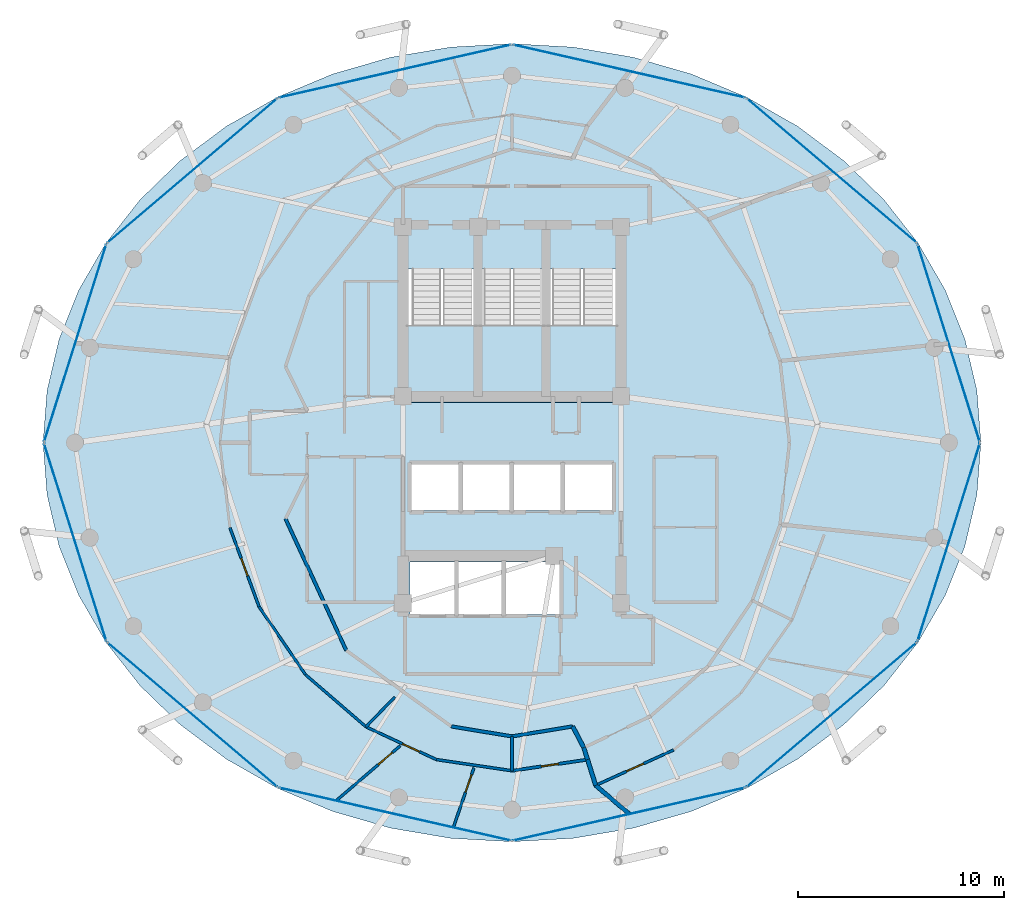
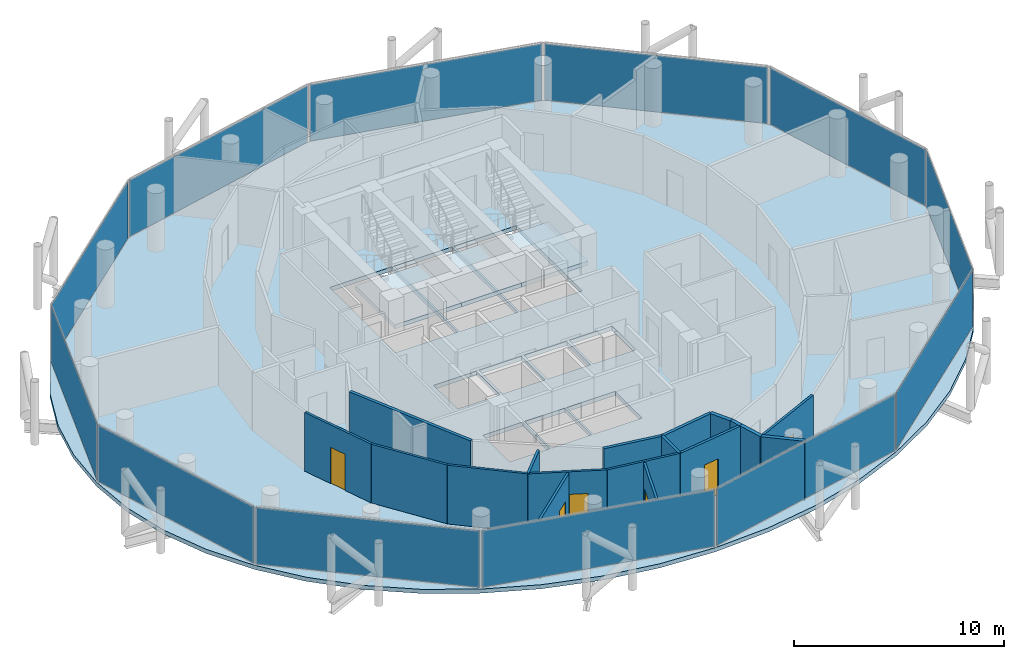
# One storey, part 22 of 27: 18 walls, 12 plates, 6 doors, 4 slabs, 6 openings, 15 elements without a shape of their own.
"""IFC4 building model written with IfcOpenShell, lengths in metres."""

from ifc_helpers import new_model, si_unit, direction, frame, frame_2d, origin, origin_2d, place, context, subcontext, project, spatial, polyline, rectangle, outline, extrude, material, layer, layer_set, type_object, element, fill, aggregate, save


model = new_model("IFC4")

# Units and contexts
model_context = context("Model", 3, precision=1e-05, world=origin(), true_north=direction((0.0, 1.0)))
body_context = subcontext(model_context, "Body", "Model", "MODEL_VIEW")
ifc_project = project(units=[si_unit("LENGTHUNIT", "METRE"), si_unit("AREAUNIT", "SQUARE_METRE"), si_unit("VOLUMEUNIT", "CUBIC_METRE"), si_unit("PLANEANGLEUNIT", "RADIAN"), si_unit("MASSUNIT", "GRAM", prefix="KILO")], contexts=[model_context])

# Site, building, storey
site_placement = place(None, origin())
site = spatial("IfcSite", under=ifc_project, at=site_placement, CompositionType="ELEMENT")
building_placement = place(site_placement, origin())
building = spatial("IfcBuilding", under=site, at=building_placement, Name="Nuhasar Tower", CompositionType="ELEMENT")
storey_placement = place(building_placement, frame((0.0, 0.0, 244.64990234375)))
storey = spatial("IfcBuildingStorey", under=building, at=storey_placement, Name="L60", CompositionType="ELEMENT", Elevation=244.64990234375)

# Curtain wall, plate
ifc_material_1 = material(Name="Aluminium 6063-T6", Category="aluminium")
ifc_layer_1 = layer(ifc_material_1, 0.18994140625)
ifc_layer_set_1 = layer_set([ifc_layer_1], Name="Aluminium 6063-T6")
curtain_wall_type = type_object("IfcCurtainWallType", Name="CW-Z3-RES", PredefinedType="NOTDEFINED", material=ifc_layer_set_1)
curtain_wall_1_placement = place(storey_placement, origin())
curtain_wall_1 = element("IfcCurtainWall", 1, at=curtain_wall_1_placement, inside=storey, type_object=curtain_wall_type, Name="L60 Unitised Curtain Wall 01", PredefinedType="NOTDEFINED")
ifc_material_2 = material(Name="Glass Double Low-E", Category="glass")
ifc_layer_2 = layer(ifc_material_2, 0.028076171875)
ifc_layer_set_2 = layer_set([ifc_layer_2], Name="Glass Double Low-E")
plate_type = type_object("IfcPlateType", Name="CW-PANEL-GLZ", PredefinedType="CURTAIN_PANEL", material=ifc_layer_set_2)
plate_1_placement = place(storey_placement, frame((60.235595703125, 31.639892578125, 0.06494140625), z_axis=(0.0, 0.0, 1.0), x_axis=(-0.30042864553, 0.95380429279, 0.0)))
plate_1 = element("IfcPlate", 2, at=plate_1_placement, type_object=plate_type, Name="CW-Z3 panel 1.1", PredefinedType="CURTAIN_PANEL", context=body_context, shape_type="SweptSolid", body=[
    extrude(rectangle(XDim=10.018798828125, YDim=0.028076171875, at=origin_2d()), origin(), (0.0, 0.0, 1.0), 3.280029296875),
])
aggregate(curtain_wall_1, [plate_1])

curtain_wall_2_placement = place(storey_placement, origin())
curtain_wall_2 = element("IfcCurtainWall", 3, at=curtain_wall_2_placement, inside=storey, type_object=curtain_wall_type, Name="L60 Unitised Curtain Wall 02", PredefinedType="NOTDEFINED")
plate_2_placement = place(storey_placement, frame((54.54541015625, 40.02294921875, 0.06494140625), z_axis=(0.0, 0.0, 1.0), x_axis=(-0.761729472562, 0.64789521578, 0.0)))
plate_2 = element("IfcPlate", 4, at=plate_2_placement, type_object=plate_type, Name="CW-Z3 panel 1.1", PredefinedType="CURTAIN_PANEL", context=body_context, shape_type="SweptSolid", body=[
    extrude(rectangle(XDim=10.806884765625, YDim=0.028076171875, at=origin_2d()), origin(), (0.0, 0.0, 1.0), 3.280029296875),
])
aggregate(curtain_wall_2, [plate_2])

curtain_wall_3_placement = place(storey_placement, origin())
curtain_wall_3 = element("IfcCurtainWall", 5, at=curtain_wall_3_placement, inside=storey, type_object=curtain_wall_type, Name="L60 Unitised Curtain Wall 03", PredefinedType="NOTDEFINED")
plate_3_placement = place(storey_placement, frame((44.68994140625, 44.863037109375, 0.06494140625), z_axis=(0.0, 0.0, 1.0), x_axis=(-0.974991266926, 0.222243176313, 0.0)))
plate_3 = element("IfcPlate", 6, at=plate_3_placement, type_object=plate_type, Name="CW-Z3 panel 1.1", PredefinedType="CURTAIN_PANEL", context=body_context, shape_type="SweptSolid", body=[
    extrude(rectangle(XDim=11.5419921875, YDim=0.028076171875, at=origin_2d()), origin(), (0.0, 0.0, 1.0), 3.280029296875),
])
aggregate(curtain_wall_3, [plate_3])

curtain_wall_4_placement = place(storey_placement, origin())
curtain_wall_4 = element("IfcCurtainWall", 7, at=curtain_wall_4_placement, inside=storey, type_object=curtain_wall_type, Name="L60 Unitised Curtain Wall 04", PredefinedType="NOTDEFINED")
plate_4_placement = place(storey_placement, frame((33.31005859375, 44.863037109375, 0.06494140625), z_axis=(0.0, 0.0, 1.0), x_axis=(-0.974991266926, -0.222243176313, 0.0)))
plate_4 = element("IfcPlate", 8, at=plate_4_placement, type_object=plate_type, Name="CW-Z3 panel 1.1", PredefinedType="CURTAIN_PANEL", context=body_context, shape_type="SweptSolid", body=[
    extrude(rectangle(XDim=11.5419921875, YDim=0.028076171875, at=origin_2d()), origin(), (0.0, 0.0, 1.0), 3.280029296875),
])
aggregate(curtain_wall_4, [plate_4])

curtain_wall_5_placement = place(storey_placement, origin())
curtain_wall_5 = element("IfcCurtainWall", 9, at=curtain_wall_5_placement, inside=storey, type_object=curtain_wall_type, Name="L60 Unitised Curtain Wall 05", PredefinedType="NOTDEFINED")
plate_5_placement = place(storey_placement, frame((23.45458984375, 40.02294921875, 0.06494140625), z_axis=(0.0, 0.0, 1.0), x_axis=(-0.761729472562, -0.64789521578, 0.0)))
plate_5 = element("IfcPlate", 10, at=plate_5_placement, type_object=plate_type, Name="CW-Z3 panel 1.1", PredefinedType="CURTAIN_PANEL", context=body_context, shape_type="SweptSolid", body=[
    extrude(rectangle(XDim=10.806884765625, YDim=0.028076171875, at=origin_2d()), origin(), (0.0, 0.0, 1.0), 3.280029296875),
])
aggregate(curtain_wall_5, [plate_5])

curtain_wall_6_placement = place(storey_placement, origin())
curtain_wall_6 = element("IfcCurtainWall", 11, at=curtain_wall_6_placement, inside=storey, type_object=curtain_wall_type, Name="L60 Unitised Curtain Wall 06", PredefinedType="NOTDEFINED")
plate_6_placement = place(storey_placement, frame((17.764404296875, 31.639892578125, 0.06494140625), z_axis=(0.0, 0.0, 1.0), x_axis=(-0.30042864553, -0.95380429279, 0.0)))
plate_6 = element("IfcPlate", 12, at=plate_6_placement, type_object=plate_type, Name="CW-Z3 panel 1.1", PredefinedType="CURTAIN_PANEL", context=body_context, shape_type="SweptSolid", body=[
    extrude(rectangle(XDim=10.018798828125, YDim=0.028076171875, at=origin_2d()), origin(), (0.0, 0.0, 1.0), 3.280029296875),
])
aggregate(curtain_wall_6, [plate_6])

curtain_wall_7_placement = place(storey_placement, origin())
curtain_wall_7 = element("IfcCurtainWall", 13, at=curtain_wall_7_placement, inside=storey, type_object=curtain_wall_type, Name="L60 Unitised Curtain Wall 07", PredefinedType="NOTDEFINED")
plate_7_placement = place(storey_placement, frame((17.764404296875, 21.9599609375, 0.06494140625), z_axis=(0.0, 0.0, 1.0), x_axis=(0.30042864553, -0.95380429279, 0.0)))
plate_7 = element("IfcPlate", 14, at=plate_7_placement, type_object=plate_type, Name="CW-Z3 panel 1.1", PredefinedType="CURTAIN_PANEL", context=body_context, shape_type="SweptSolid", body=[
    extrude(rectangle(XDim=10.018798828125, YDim=0.028076171875, at=origin_2d()), origin(), (0.0, 0.0, 1.0), 3.280029296875),
])
aggregate(curtain_wall_7, [plate_7])

curtain_wall_8_placement = place(storey_placement, origin())
curtain_wall_8 = element("IfcCurtainWall", 15, at=curtain_wall_8_placement, inside=storey, type_object=curtain_wall_type, Name="L60 Unitised Curtain Wall 08", PredefinedType="NOTDEFINED")
plate_8_placement = place(storey_placement, frame((23.45458984375, 13.576904296875, 0.06494140625), z_axis=(0.0, 0.0, 1.0), x_axis=(0.761729472562, -0.64789521578, 0.0)))
plate_8 = element("IfcPlate", 16, at=plate_8_placement, type_object=plate_type, Name="CW-Z3 panel 1.1", PredefinedType="CURTAIN_PANEL", context=body_context, shape_type="SweptSolid", body=[
    extrude(rectangle(XDim=10.806884765625, YDim=0.028076171875, at=origin_2d()), origin(), (0.0, 0.0, 1.0), 3.280029296875),
])
aggregate(curtain_wall_8, [plate_8])

curtain_wall_9_placement = place(storey_placement, origin())
curtain_wall_9 = element("IfcCurtainWall", 17, at=curtain_wall_9_placement, inside=storey, type_object=curtain_wall_type, Name="L60 Unitised Curtain Wall 09", PredefinedType="NOTDEFINED")
plate_9_placement = place(storey_placement, frame((33.31005859375, 8.737060546875, 0.06494140625), z_axis=(0.0, 0.0, 1.0), x_axis=(0.974991266926, -0.222243176313, 0.0)))
plate_9 = element("IfcPlate", 18, at=plate_9_placement, type_object=plate_type, Name="CW-Z3 panel 1.1", PredefinedType="CURTAIN_PANEL", context=body_context, shape_type="SweptSolid", body=[
    extrude(rectangle(XDim=11.5419921875, YDim=0.028076171875, at=origin_2d()), origin(), (0.0, 0.0, 1.0), 3.280029296875),
])
aggregate(curtain_wall_9, [plate_9])

curtain_wall_10_placement = place(storey_placement, origin())
curtain_wall_10 = element("IfcCurtainWall", 19, at=curtain_wall_10_placement, inside=storey, type_object=curtain_wall_type, Name="L60 Unitised Curtain Wall 10", PredefinedType="NOTDEFINED")
plate_10_placement = place(storey_placement, frame((44.68994140625, 8.737060546875, 0.06494140625), z_axis=(0.0, 0.0, 1.0), x_axis=(0.974991266926, 0.222243176313, 0.0)))
plate_10 = element("IfcPlate", 20, at=plate_10_placement, type_object=plate_type, Name="CW-Z3 panel 1.1", PredefinedType="CURTAIN_PANEL", context=body_context, shape_type="SweptSolid", body=[
    extrude(rectangle(XDim=11.5419921875, YDim=0.028076171875, at=origin_2d()), origin(), (0.0, 0.0, 1.0), 3.280029296875),
])
aggregate(curtain_wall_10, [plate_10])

curtain_wall_11_placement = place(storey_placement, origin())
curtain_wall_11 = element("IfcCurtainWall", 21, at=curtain_wall_11_placement, inside=storey, type_object=curtain_wall_type, Name="L60 Unitised Curtain Wall 11", PredefinedType="NOTDEFINED")
plate_11_placement = place(storey_placement, frame((54.54541015625, 13.576904296875, 0.06494140625), z_axis=(0.0, 0.0, 1.0), x_axis=(0.761729472562, 0.64789521578, 0.0)))
plate_11 = element("IfcPlate", 22, at=plate_11_placement, type_object=plate_type, Name="CW-Z3 panel 1.1", PredefinedType="CURTAIN_PANEL", context=body_context, shape_type="SweptSolid", body=[
    extrude(rectangle(XDim=10.806884765625, YDim=0.028076171875, at=origin_2d()), origin(), (0.0, 0.0, 1.0), 3.280029296875),
])
aggregate(curtain_wall_11, [plate_11])

curtain_wall_12_placement = place(storey_placement, origin())
curtain_wall_12 = element("IfcCurtainWall", 23, at=curtain_wall_12_placement, inside=storey, type_object=curtain_wall_type, Name="L60 Unitised Curtain Wall 12", PredefinedType="NOTDEFINED")
plate_12_placement = place(storey_placement, frame((60.235595703125, 21.9599609375, 0.06494140625), z_axis=(0.0, 0.0, 1.0), x_axis=(0.30042864553, 0.95380429279, 0.0)))
plate_12 = element("IfcPlate", 24, at=plate_12_placement, type_object=plate_type, Name="CW-Z3 panel 1.1", PredefinedType="CURTAIN_PANEL", context=body_context, shape_type="SweptSolid", body=[
    extrude(rectangle(XDim=10.018798828125, YDim=0.028076171875, at=origin_2d()), origin(), (0.0, 0.0, 1.0), 3.280029296875),
])
aggregate(curtain_wall_12, [plate_12])

# Stair, slab
ifc_material_3 = material(Name="Concrete C45/55", Category="concrete")
stair_type_1 = type_object("IfcStairType", Name="STR-ST-01-2F-22R-1659", PredefinedType="HALF_TURN_STAIR", material=ifc_material_3)
stair_1_placement = place(storey_placement, origin())
stair_1 = element("IfcStair", 25, at=stair_1_placement, inside=storey, type_object=stair_type_1, Name="L60 Exit Stair ST-01", PredefinedType="HALF_TURN_STAIR")
ifc_layer_3 = layer(ifc_material_3, 0.239990234375)
ifc_layer_set_3 = layer_set([ifc_layer_3], Name="Concrete C45/55")
slab_type_1 = type_object("IfcSlabType", Name="SLB-STAIR-LND-240", PredefinedType="LANDING", material=ifc_layer_set_3)
slab_1_placement = place(storey_placement, frame((0.0, 0.0, 1.585205078125)))
slab_1 = element("IfcSlab", 26, at=slab_1_placement, type_object=slab_type_1, Name="ST-01 landing 1", PredefinedType="LANDING", context=body_context, shape_type="SweptSolid", body=[
    extrude(outline(polyline([(33.699951171875, 28.75), (37.35009765625, 28.75), (37.35009765625, 32.52001953125), (33.699951171875, 32.52001953125), (33.699951171875, 28.75)])), origin(), (0.0, 0.0, 1.0), 0.239990234375),
])
aggregate(stair_1, [slab_1])

stair_type_2 = type_object("IfcStairType", Name="STR-ST-03-2F-22R-1659", PredefinedType="HALF_TURN_STAIR", material=ifc_material_3)
stair_2_placement = place(storey_placement, origin())
stair_2 = element("IfcStair", 27, at=stair_2_placement, inside=storey, type_object=stair_type_2, Name="L60 Exit Stair ST-03", PredefinedType="HALF_TURN_STAIR")
slab_2_placement = place(storey_placement, frame((0.0, 0.0, 1.585205078125)))
slab_2 = element("IfcSlab", 28, at=slab_2_placement, type_object=slab_type_1, Name="ST-03 landing 1", PredefinedType="LANDING", context=body_context, shape_type="SweptSolid", body=[
    extrude(outline(polyline([(37.35009765625, 28.75), (40.64990234375, 28.75), (40.64990234375, 32.52001953125), (37.35009765625, 32.52001953125), (37.35009765625, 28.75)])), origin(), (0.0, 0.0, 1.0), 0.239990234375),
])
aggregate(stair_2, [slab_2])

stair_type_3 = type_object("IfcStairType", Name="STR-ST-02-2F-22R-1659", PredefinedType="HALF_TURN_STAIR", material=ifc_material_3)
stair_3_placement = place(storey_placement, origin())
stair_3 = element("IfcStair", 29, at=stair_3_placement, inside=storey, type_object=stair_type_3, Name="L60 Exit Stair ST-02", PredefinedType="HALF_TURN_STAIR")
slab_3_placement = place(storey_placement, frame((0.0, 0.0, 1.585205078125)))
slab_3 = element("IfcSlab", 30, at=slab_3_placement, type_object=slab_type_1, Name="ST-02 landing 1", PredefinedType="LANDING", context=body_context, shape_type="SweptSolid", body=[
    extrude(outline(polyline([(40.64990234375, 28.75), (44.300048828125, 28.75), (44.300048828125, 32.52001953125), (40.64990234375, 32.52001953125), (40.64990234375, 28.75)])), origin(), (0.0, 0.0, 1.0), 0.239990234375),
])
aggregate(stair_3, [slab_3])

# Slab
ifc_layer_4 = layer(ifc_material_3, 0.239990234375)
ifc_layer_set_4 = layer_set([ifc_layer_4], Name="Concrete C45/55")
slab_type_2 = type_object("IfcSlabType", Name="SLB-Z3-240", PredefinedType="FLOOR", material=ifc_layer_set_4)
slab_4_placement = place(storey_placement, frame((0.0, 0.0, -0.239990234375)))
element("IfcSlab", 31, at=slab_4_placement, inside=storey, type_object=slab_type_2, Name="L60 Structural Slab", PredefinedType="FLOOR", context=body_context, shape_type="SweptSolid", body=[
    extrude(outline(polyline([(61.800048828125, 26.800048828125), (61.60498046875, 29.33203125), (61.02294921875, 31.821044921875), (60.06396484375, 34.22412109375), (58.7451171875, 36.5), (57.087890625, 38.610107421875), (55.1220703125, 40.51806640625), (52.8798828125, 42.19091796875), (50.39990234375, 43.60107421875), (47.72509765625, 44.722900390625), (44.90087890625, 45.5390625), (41.97607421875, 46.033935546875), (39.0, 46.199951171875), (36.02392578125, 46.033935546875), (33.09912109375, 45.5390625), (30.27490234375, 44.722900390625), (27.60009765625, 43.60107421875), (25.1201171875, 42.19091796875), (22.8779296875, 40.51806640625), (20.912109375, 38.610107421875), (19.2548828125, 36.5), (17.93603515625, 34.22412109375), (16.97705078125, 31.821044921875), (16.39501953125, 29.33203125), (16.199951171875, 26.800048828125), (16.39501953125, 24.26806640625), (16.97705078125, 21.779052734375), (17.93603515625, 19.3759765625), (19.2548828125, 17.10009765625), (20.912109375, 14.989990234375), (22.8779296875, 13.08203125), (25.1201171875, 11.408935546875), (27.60009765625, 9.9990234375), (30.27490234375, 8.876953125), (33.09912109375, 8.06103515625), (36.02392578125, 7.56591796875), (39.0, 7.39990234375), (41.97607421875, 7.56591796875), (44.90087890625, 8.06103515625), (47.72509765625, 8.876953125), (50.39990234375, 9.9990234375), (52.8798828125, 11.408935546875), (55.1220703125, 13.08203125), (57.087890625, 14.989990234375), (58.7451171875, 17.10009765625), (60.06396484375, 19.3759765625), (61.02294921875, 21.779052734375), (61.60498046875, 24.26806640625), (61.800048828125, 26.800048828125)]), holes=[polyline([(33.8798828125, 35.25), (37.300048828125, 35.25), (37.300048828125, 29.0), (33.8798828125, 29.0), (33.8798828125, 35.25)]), polyline([(37.39990234375, 35.25), (40.60009765625, 35.25), (40.60009765625, 29.0), (37.39990234375, 29.0), (37.39990234375, 35.25)]), polyline([(40.699951171875, 35.25), (44.1201171875, 35.25), (44.1201171875, 29.0), (40.699951171875, 29.0), (40.699951171875, 35.25)]), polyline([(34.10009765625, 25.75), (36.43994140625, 25.75), (36.43994140625, 23.5), (34.10009765625, 23.5), (34.10009765625, 25.75)]), polyline([(36.580078125, 25.75), (38.919921875, 25.75), (38.919921875, 23.5), (36.580078125, 23.5), (36.580078125, 25.75)]), polyline([(39.06005859375, 25.75), (41.39990234375, 25.75), (41.39990234375, 23.5), (39.06005859375, 23.5), (39.06005859375, 25.75)]), polyline([(41.5400390625, 25.75), (43.8798828125, 25.75), (43.8798828125, 23.5), (41.5400390625, 23.5), (41.5400390625, 25.75)]), polyline([(34.050048828125, 21.0), (36.25, 21.0), (36.25, 18.449951171875), (34.050048828125, 18.449951171875), (34.050048828125, 21.0)]), polyline([(36.35009765625, 21.0), (38.550048828125, 21.0), (38.550048828125, 18.449951171875), (36.35009765625, 18.449951171875), (36.35009765625, 21.0)]), polyline([(38.64990234375, 21.0), (41.320068359375, 21.0), (41.320068359375, 18.449951171875), (38.64990234375, 18.449951171875), (38.64990234375, 21.0)])]), origin(), (0.0, 0.0, 1.0), 0.239990234375),
])

# Walls
ifc_material_4 = material(Name="Gypsum Board", Category="gypsum")
ifc_layer_5 = layer(ifc_material_4, 0.159912109375)
ifc_layer_set_5 = layer_set([ifc_layer_5], Name="Gypsum Board")
wall_type_1 = type_object("IfcWallType", Name="WL-CORR-160", PredefinedType="PARTITIONING", material=ifc_layer_set_5)
wall_1_placement = place(storey_placement, frame((27.988037109375, 23.10400390625, 0.0), z_axis=(0.0, 0.0, 1.0), x_axis=(0.418656179426, -0.908144814128, 0.0)))
element("IfcWall", 32, at=wall_1_placement, inside=storey, type_object=wall_type_1, Name="L60 Interior Partition UWEST-CORE-S1-26", PredefinedType="PARTITIONING", context=body_context, shape_type="SweptSolid", body=[
    extrude(rectangle(XDim=7.048583984375, YDim=0.159912109375, at=frame_2d((3.5244140625, 0.0))), origin(), (0.0, 0.0, 1.0), 3.41015625),
])
for number, where, z_axis, x_axis, name in (
    (33, (36.049072265625, 13.007080078125, 0.0), (0.0, 0.0, 1.0), (0.986650832406, -0.162850038111, 0.0), "L60 Interior Partition UWEST-CORE-S1-34"),
    (34, (39.0, 12.52001953125, 0.0), (0.0, 0.0, 1.0), (0.986650832406, 0.162850038111, 0.0), "L60 Interior Partition UWEST-CORE-S2-36"),
):
    element("IfcWall", number, at=place(storey_placement, frame(where, z_axis=z_axis, x_axis=x_axis)), inside=storey, type_object=wall_type_1, Name=name, PredefinedType="PARTITIONING", context=body_context, shape_type="SweptSolid", body=[
        extrude(rectangle(XDim=2.990966796875, YDim=0.159912109375, at=frame_2d((1.49560546875, 0.0))), origin(), (0.0, 0.0, 1.0), 3.41015625),
    ])

# Wall, opening, door
ifc_layer_6 = layer(ifc_material_4, 0.125)
ifc_layer_set_6 = layer_set([ifc_layer_6], Name="Gypsum Board")
wall_type_2 = type_object("IfcWallType", Name="WL-PART-125", PredefinedType="PARTITIONING", material=ifc_layer_set_6)
wall_2_placement = place(storey_placement, frame((46.860107421875, 11.861083984375, 0.0), z_axis=(0.0, 0.0, 1.0), x_axis=(-0.910370493014, -0.413794109975, 0.0)))
wall_2 = element("IfcWall", 35, at=wall_2_placement, inside=storey, type_object=wall_type_2, Name="L60 Interior Partition UMID-01-A-38", PredefinedType="PARTITIONING", context=body_context, shape_type="SweptSolid", body=[
    extrude(rectangle(XDim=4.164306640625, YDim=0.125, at=frame_2d((2.08203125, 0.0))), origin(), (0.0, 0.0, 1.0), 3.41015625),
])
opening_1_placement = place(wall_2_placement, frame((1.60693359375, 0.0, 0.0)))
opening_1 = element("IfcOpeningElement", 36, at=opening_1_placement, cuts=wall_2, Name="Opening DR-01", PredefinedType="OPENING", context=body_context, shape_type="SweptSolid", body=[
    extrude(rectangle(XDim=0.89990234375, YDim=2.10009765625, at=frame_2d((0.449951171875, 1.050048828125))), frame((0.0, 0.072509765625, 0.0), z_axis=(0.0, -1.0, 0.0), x_axis=(1.0, 0.0, 0.0)), (0.0, 0.0, 1.0), 0.14501953125),
])
ifc_material_5 = material(Name="Timber Oak", Category="wood")
door_type_1 = type_object("IfcDoorType", Name="DR-ROOM-900", OperationType="NOTDEFINED", PredefinedType="DOOR", material=ifc_material_5)
door_1_placement = place(opening_1_placement, origin())
door_1 = element("IfcDoor", 37, at=door_1_placement, inside=storey, type_object=door_type_1, Name="L60 U01 Living Door", OperationType="SINGLE_SWING_LEFT", OverallHeight=2.10009765625, OverallWidth=0.89990234375, PredefinedType="DOOR", context=body_context, shape_type="SweptSolid", body=[
    extrude(rectangle(XDim=0.89990234375, YDim=2.10009765625, at=frame_2d((0.449951171875, 1.050048828125))), frame((0.0, 0.02490234375, 0.0), z_axis=(0.0, -1.0, 0.0), x_axis=(1.0, 0.0, 0.0)), (0.0, 0.0, 1.0), 0.050048828125),
])
fill(opening_1, door_1)

wall_3_placement = place(storey_placement, frame((35.324951171875, 11.39306640625, 0.0), z_axis=(0.0, 0.0, 1.0), x_axis=(-0.906625113427, 0.421937085007, 0.0)))
wall_3 = element("IfcWall", 38, at=wall_3_placement, inside=storey, type_object=wall_type_2, Name="L60 Interior Partition USM-2-K-32", PredefinedType="PARTITIONING", context=body_context, shape_type="SweptSolid", body=[
    extrude(rectangle(XDim=3.77783203125, YDim=0.125, at=frame_2d((1.888916015625, 0.0))), origin(), (0.0, 0.0, 1.0), 3.41015625),
])
opening_2_placement = place(wall_3_placement, frame((0.907958984375, 0.0, 0.0)))
opening_2 = element("IfcOpeningElement", 39, at=opening_2_placement, cuts=wall_3, Name="Opening DR-01", PredefinedType="OPENING", context=body_context, shape_type="SweptSolid", body=[
    extrude(rectangle(XDim=0.89990234375, YDim=2.10009765625, at=frame_2d((0.449951171875, 1.050048828125))), frame((0.0, 0.072509765625, 0.0), z_axis=(0.0, -1.0, 0.0), x_axis=(1.0, 0.0, 0.0)), (0.0, 0.0, 1.0), 0.14501953125),
])
door_2_placement = place(opening_2_placement, origin())
door_2 = element("IfcDoor", 40, at=door_2_placement, inside=storey, type_object=door_type_1, Name="L60 South-West Sky Home Kitchen Door", OperationType="SINGLE_SWING_LEFT", OverallHeight=2.10009765625, OverallWidth=0.89990234375, PredefinedType="DOOR", context=body_context, shape_type="SweptSolid", body=[
    extrude(rectangle(XDim=0.89990234375, YDim=2.10009765625, at=frame_2d((0.449951171875, 1.050048828125))), frame((0.0, 0.02490234375, 0.0), z_axis=(0.0, -1.0, 0.0), x_axis=(1.0, 0.0, 0.0)), (0.0, 0.0, 1.0), 0.050048828125),
])
fill(opening_2, door_2)

# Walls
wall_4_placement = place(storey_placement, frame((35.324951171875, 11.39306640625, 0.0), z_axis=(0.0, 0.0, 1.0), x_axis=(0.989261252839, -0.146158043334, 0.0)))
element("IfcWall", 41, at=wall_4_placement, inside=storey, type_object=wall_type_2, Name="L60 Interior Partition USM-2-K-34", PredefinedType="PARTITIONING", context=body_context, shape_type="SweptSolid", body=[
    extrude(rectangle(XDim=3.71484375, YDim=0.125, at=frame_2d((1.857421875, 0.0))), origin(), (0.0, 0.0, 1.0), 3.41015625),
])
wall_5_placement = place(storey_placement, frame((33.300048828125, 14.43310546875, 0.0), z_axis=(0.0, 0.0, 1.0), x_axis=(-0.695613346208, -0.718416364358, 0.0)))
element("IfcWall", 42, at=wall_5_placement, inside=storey, type_object=wall_type_2, Name="L60 Interior Partition USI-2-DK", PredefinedType="PARTITIONING", context=body_context, shape_type="SweptSolid", body=[
    extrude(rectangle(XDim=2.012939453125, YDim=0.125, at=frame_2d((1.00634765625, 0.0))), origin(), (0.0, 0.0, 1.0), 3.41015625),
])

# Wall, opening, door
wall_6_placement = place(storey_placement, frame((26.701904296875, 18.824951171875, 0.0), z_axis=(0.0, 0.0, 1.0), x_axis=(-0.345832286314, 0.938296344308, 0.0)))
wall_6 = element("IfcWall", 43, at=wall_6_placement, inside=storey, type_object=wall_type_2, Name="L60 Interior Partition USM-2-D-26", PredefinedType="PARTITIONING", context=body_context, shape_type="SweptSolid", body=[
    extrude(rectangle(XDim=4.10009765625, YDim=0.125, at=frame_2d((2.050048828125, 0.0))), origin(), (0.0, 0.0, 1.0), 3.41015625),
])
opening_3_placement = place(wall_6_placement, frame((1.60009765625, 0.0, 0.0)))
opening_3 = element("IfcOpeningElement", 44, at=opening_3_placement, cuts=wall_6, Name="Opening DR-01", PredefinedType="OPENING", context=body_context, shape_type="SweptSolid", body=[
    extrude(rectangle(XDim=0.89990234375, YDim=2.10009765625, at=frame_2d((0.449951171875, 1.050048828125))), frame((0.0, 0.072509765625, 0.0), z_axis=(0.0, -1.0, 0.0), x_axis=(1.0, 0.0, 0.0)), (0.0, 0.0, 1.0), 0.14501953125),
])
door_3_placement = place(opening_3_placement, origin())
door_3 = element("IfcDoor", 45, at=door_3_placement, inside=storey, type_object=door_type_1, Name="L60 South-West Sky Home Living Door", OperationType="SINGLE_SWING_LEFT", OverallHeight=2.10009765625, OverallWidth=0.89990234375, PredefinedType="DOOR", context=body_context, shape_type="SweptSolid", body=[
    extrude(rectangle(XDim=0.89990234375, YDim=2.10009765625, at=frame_2d((0.449951171875, 1.050048828125))), frame((0.0, 0.02490234375, 0.0), z_axis=(0.0, -1.0, 0.0), x_axis=(1.0, 0.0, 0.0)), (0.0, 0.0, 1.0), 0.050048828125),
])
fill(opening_3, door_3)

# Walls
wall_7_placement = place(storey_placement, frame((26.701904296875, 18.824951171875, 0.0), z_axis=(0.0, 0.0, 1.0), x_axis=(0.56419813198, -0.825639429697, 0.0)))
element("IfcWall", 46, at=wall_7_placement, inside=storey, type_object=wall_type_2, Name="L60 Interior Partition USM-2-D-28", PredefinedType="PARTITIONING", context=body_context, shape_type="SweptSolid", body=[
    extrude(rectangle(XDim=4.00048828125, YDim=0.125, at=frame_2d((2.000244140625, 0.0))), origin(), (0.0, 0.0, 1.0), 3.41015625),
])
wall_8_placement = place(storey_placement, frame((28.958984375, 15.52197265625, 0.0), z_axis=(0.0, 0.0, 1.0), x_axis=(0.757456069071, -0.652886133585, 0.0)))
element("IfcWall", 47, at=wall_8_placement, inside=storey, type_object=wall_type_2, Name="L60 Interior Partition USM-2-D-30", PredefinedType="PARTITIONING", context=body_context, shape_type="SweptSolid", body=[
    extrude(rectangle(XDim=3.882568359375, YDim=0.125, at=frame_2d((1.94140625, 0.0))), origin(), (0.0, 0.0, 1.0), 3.41015625),
])

# Wall, opening, door
wall_9_placement = place(storey_placement, frame((33.56591796875, 12.06396484375, 0.0), z_axis=(0.0, 0.0, 1.0), x_axis=(-0.759231178262, -0.650821033738, 0.0)))
wall_9 = element("IfcWall", 48, at=wall_9_placement, inside=storey, type_object=wall_type_2, Name="L60 Interior Partition USO-2-B1", PredefinedType="PARTITIONING", context=body_context, shape_type="SweptSolid", body=[
    extrude(rectangle(XDim=4.067138671875, YDim=0.125, at=frame_2d((2.03369140625, 0.0))), origin(), (0.0, 0.0, 1.0), 3.41015625),
])
opening_4_placement = place(wall_9_placement, frame((0.501953125, 0.0, 0.0)))
opening_4 = element("IfcOpeningElement", 49, at=opening_4_placement, cuts=wall_9, Name="Opening DR-01", PredefinedType="OPENING", context=body_context, shape_type="SweptSolid", body=[
    extrude(rectangle(XDim=0.89990234375, YDim=2.10009765625, at=frame_2d((0.449951171875, 1.050048828125))), frame((0.0, 0.072509765625, 0.0), z_axis=(0.0, -1.0, 0.0), x_axis=(1.0, 0.0, 0.0)), (0.0, 0.0, 1.0), 0.14501953125),
])
door_4_placement = place(opening_4_placement, origin())
door_4 = element("IfcDoor", 50, at=door_4_placement, inside=storey, type_object=door_type_1, Name="L60 South-West Sky Home Study Door", OperationType="SINGLE_SWING_LEFT", OverallHeight=2.10009765625, OverallWidth=0.89990234375, PredefinedType="DOOR", context=body_context, shape_type="SweptSolid", body=[
    extrude(rectangle(XDim=0.89990234375, YDim=2.10009765625, at=frame_2d((0.449951171875, 1.050048828125))), frame((0.0, 0.02490234375, 0.0), z_axis=(0.0, -1.0, 0.0), x_axis=(1.0, 0.0, 0.0)), (0.0, 0.0, 1.0), 0.050048828125),
])
fill(opening_4, door_4)

wall_10_placement = place(storey_placement, frame((37.14697265625, 10.986083984375, 0.0), z_axis=(0.0, 0.0, 1.0), x_axis=(-0.326122303086, -0.945327585248, 0.0)))
wall_10 = element("IfcWall", 51, at=wall_10_placement, inside=storey, type_object=wall_type_2, Name="L60 Interior Partition USO-2-B2", PredefinedType="PARTITIONING", context=body_context, shape_type="SweptSolid", body=[
    extrude(rectangle(XDim=3.029541015625, YDim=0.125, at=frame_2d((1.5146484375, 0.0))), origin(), (0.0, 0.0, 1.0), 3.41015625),
])
opening_5_placement = place(wall_10_placement, frame((0.35009765625, 0.0, 0.0)))
opening_5 = element("IfcOpeningElement", 52, at=opening_5_placement, cuts=wall_10, Name="Opening DR-01", PredefinedType="OPENING", context=body_context, shape_type="SweptSolid", body=[
    extrude(rectangle(XDim=0.89990234375, YDim=2.10009765625, at=frame_2d((0.449951171875, 1.050048828125))), frame((0.0, 0.072509765625, 0.0), z_axis=(0.0, -1.0, 0.0), x_axis=(1.0, 0.0, 0.0)), (0.0, 0.0, 1.0), 0.14501953125),
])
door_5_placement = place(opening_5_placement, origin())
door_5 = element("IfcDoor", 53, at=door_5_placement, inside=storey, type_object=door_type_1, Name="L60 South-West Sky Home Master Bedroom Door", OperationType="SINGLE_SWING_LEFT", OverallHeight=2.10009765625, OverallWidth=0.89990234375, PredefinedType="DOOR", context=body_context, shape_type="SweptSolid", body=[
    extrude(rectangle(XDim=0.89990234375, YDim=2.10009765625, at=frame_2d((0.449951171875, 1.050048828125))), frame((0.0, 0.02490234375, 0.0), z_axis=(0.0, -1.0, 0.0), x_axis=(1.0, 0.0, 0.0)), (0.0, 0.0, 1.0), 0.050048828125),
])
fill(opening_5, door_5)

# Walls
ifc_material_6 = material(Name="Concrete C40/50 precast", Category="concrete")
ifc_layer_7 = layer(ifc_material_6, 0.199951171875)
ifc_layer_set_7 = layer_set([ifc_layer_7], Name="Concrete C40/50 precast")
wall_type_3 = type_object("IfcWallType", Name="WL-UNIT-200", PredefinedType="PARTITIONING", material=ifc_layer_set_7)
wall_11_placement = place(storey_placement, frame((41.950927734375, 13.007080078125, 0.0), z_axis=(0.0, 0.0, 1.0), x_axis=(0.462880643217, -0.886420616939, 0.0)))
element("IfcWall", 54, at=wall_11_placement, inside=storey, type_object=wall_type_3, Name="L60 Interior Partition URAD-38-SW-S1", PredefinedType="PARTITIONING", context=body_context, shape_type="SweptSolid", body=[
    extrude(rectangle(XDim=1.166748046875, YDim=0.199951171875, at=frame_2d((0.58349609375, 0.0))), origin(), (0.0, 0.0, 1.0), 3.41015625),
])
wall_12_placement = place(storey_placement, frame((42.490966796875, 11.972900390625, 0.0), z_axis=(0.0, 0.0, 1.0), x_axis=(0.302590706118, -0.953120592879, 0.0)))
element("IfcWall", 55, at=wall_12_placement, inside=storey, type_object=wall_type_3, Name="L60 Interior Partition URAD-38-SW-S2", PredefinedType="PARTITIONING", context=body_context, shape_type="SweptSolid", body=[
    extrude(rectangle(XDim=0.6083984375, YDim=0.199951171875, at=frame_2d((0.30419921875, 0.0))), origin(), (0.0, 0.0, 1.0), 3.41015625),
])
wall_13_placement = place(storey_placement, frame((42.675048828125, 11.39306640625, 0.0), z_axis=(0.0, 0.0, 1.0), x_axis=(0.299532212957, -0.954086187617, 0.0)))
element("IfcWall", 56, at=wall_13_placement, inside=storey, type_object=wall_type_3, Name="L60 Interior Partition URAD-38-SW-S3", PredefinedType="PARTITIONING", context=body_context, shape_type="SweptSolid", body=[
    extrude(rectangle(XDim=1.3154296875, YDim=0.199951171875, at=frame_2d((0.65771484375, 0.0))), origin(), (0.0, 0.0, 1.0), 3.41015625),
])
wall_14_placement = place(storey_placement, frame((43.069091796875, 10.137939453125, 0.0), z_axis=(0.0, 0.0, 1.0), x_axis=(0.762434894115, -0.647064936645, 0.0)))
element("IfcWall", 57, at=wall_14_placement, inside=storey, type_object=wall_type_3, Name="L60 Interior Partition URAD-38-SW-S4", PredefinedType="PARTITIONING", context=body_context, shape_type="SweptSolid", body=[
    extrude(rectangle(XDim=2.114013671875, YDim=0.199951171875, at=frame_2d((1.05712890625, 0.0))), origin(), (0.0, 0.0, 1.0), 3.41015625),
])

# Wall, opening, door
ifc_layer_8 = layer(ifc_material_6, 0.139892578125)
ifc_layer_set_8 = layer_set([ifc_layer_8], Name="Concrete C40/50 precast")
wall_type_4 = type_object("IfcWallType", Name="WL-WET-140", PredefinedType="PARTITIONING", material=ifc_layer_set_8)
wall_15_placement = place(storey_placement, frame((42.675048828125, 11.39306640625, 0.0), z_axis=(0.0, 0.0, 1.0), x_axis=(-0.989261252839, -0.146158043334, 0.0)))
wall_15 = element("IfcWall", 58, at=wall_15_placement, inside=storey, type_object=wall_type_4, Name="L60 Interior Partition USM-2-B-36", PredefinedType="PARTITIONING", context=body_context, shape_type="SweptSolid", body=[
    extrude(rectangle(XDim=3.71484375, YDim=0.139892578125, at=frame_2d((1.857421875, 0.0))), origin(), (0.0, 0.0, 1.0), 3.41015625),
])
opening_6_placement = place(wall_15_placement, frame((1.431884765625, 0.0, 0.0)))
opening_6 = element("IfcOpeningElement", 59, at=opening_6_placement, cuts=wall_15, Name="Opening DB-01", PredefinedType="OPENING", context=body_context, shape_type="SweptSolid", body=[
    extrude(rectangle(XDim=0.85009765625, YDim=2.10009765625, at=frame_2d((0.425048828125, 1.050048828125))), frame((0.0, 0.080078125, 0.0), z_axis=(0.0, -1.0, 0.0), x_axis=(1.0, 0.0, 0.0)), (0.0, 0.0, 1.0), 0.159912109375),
])
door_type_2 = type_object("IfcDoorType", Name="DR-BATH-850", OperationType="NOTDEFINED", PredefinedType="DOOR", material=ifc_material_5)
door_6_placement = place(opening_6_placement, origin())
door_6 = element("IfcDoor", 60, at=door_6_placement, inside=storey, type_object=door_type_2, Name="L60 South-West Sky Home En-Suite Door", OperationType="SINGLE_SWING_LEFT", OverallHeight=2.10009765625, OverallWidth=0.85009765625, PredefinedType="DOOR", context=body_context, shape_type="SweptSolid", body=[
    extrude(rectangle(XDim=0.85009765625, YDim=2.10009765625, at=frame_2d((0.425048828125, 1.050048828125))), frame((0.0, 0.02490234375, 0.0), z_axis=(0.0, -1.0, 0.0), x_axis=(1.0, 0.0, 0.0)), (0.0, 0.0, 1.0), 0.050048828125),
])
fill(opening_6, door_6)

# Wall
wall_16_placement = place(storey_placement, frame((39.0, 12.52001953125, 0.0), z_axis=(0.0, 0.0, 1.0), x_axis=(0.0, -1.0, 0.0)))
element("IfcWall", 61, at=wall_16_placement, inside=storey, type_object=wall_type_4, Name="L60 Interior Partition USI-2-KB", PredefinedType="PARTITIONING", context=body_context, shape_type="SweptSolid", body=[
    extrude(rectangle(XDim=1.669921875, YDim=0.139892578125, at=frame_2d((0.8349609375, 0.0))), origin(), (0.0, 0.0, 1.0), 3.41015625),
])

save(model, "model.ifc")
